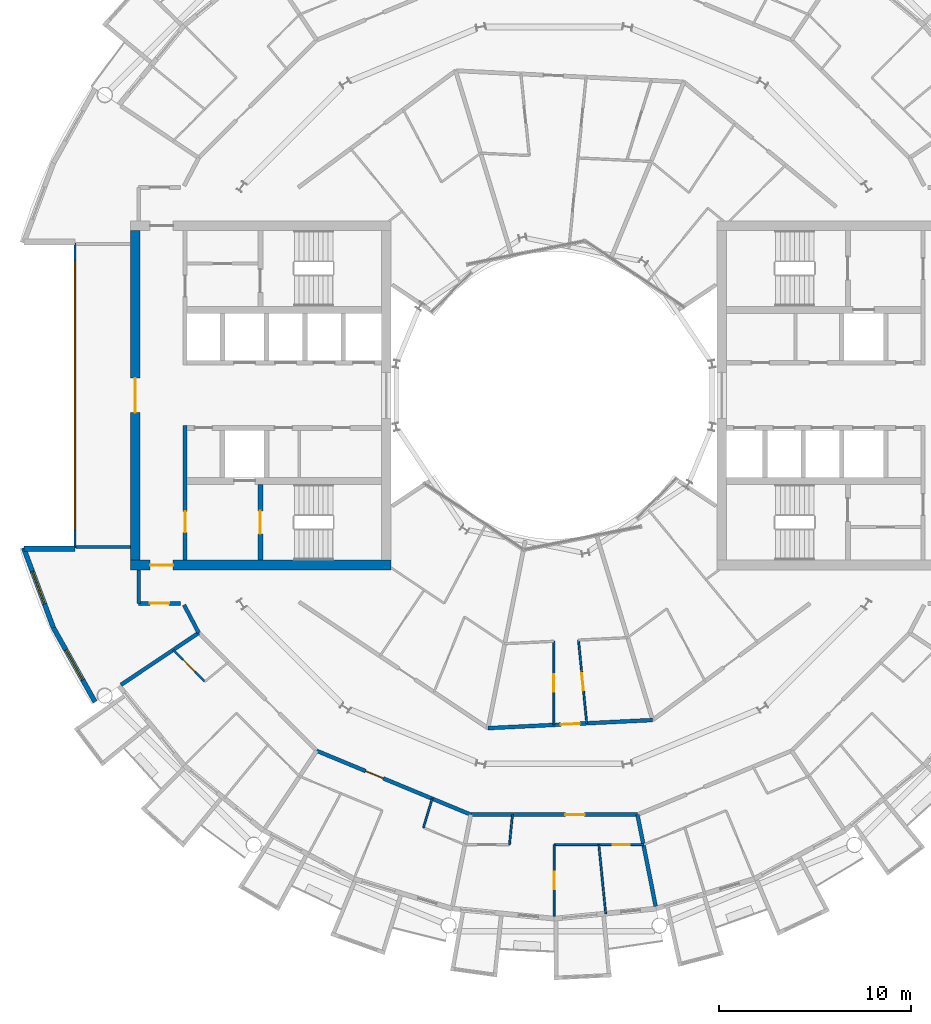
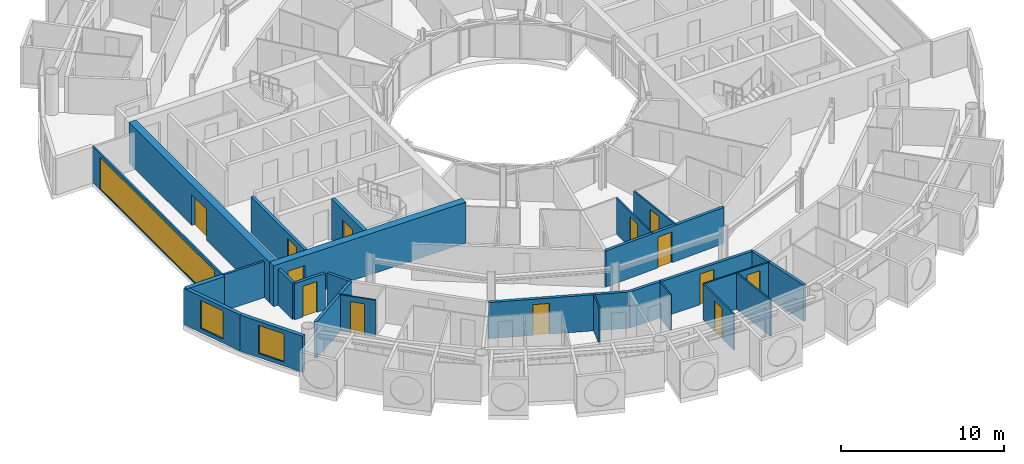
# One storey, part 15 of 27: 25 walls, 13 doors, 3 windows, 16 openings.
"""IFC4 building model written with IfcOpenShell, lengths in metres."""

from ifc_helpers import new_model, si_unit, direction, frame, frame_2d, origin, place, context, subcontext, project, spatial, rectangle, extrude, material, layer, layer_set, type_object, element, fill, save


model = new_model("IFC4")

# Units and contexts
model_context = context("Model", 3, precision=1e-05, world=origin(), true_north=direction((0.0, 1.0)))
body_context = subcontext(model_context, "Body", "Model", "MODEL_VIEW")
ifc_project = project(units=[si_unit("LENGTHUNIT", "METRE"), si_unit("AREAUNIT", "SQUARE_METRE"), si_unit("VOLUMEUNIT", "CUBIC_METRE"), si_unit("PLANEANGLEUNIT", "RADIAN"), si_unit("MASSUNIT", "GRAM", prefix="KILO")], contexts=[model_context])

# Site, building, storey
site_placement = place(None, origin())
site = spatial("IfcSite", under=ifc_project, at=site_placement, CompositionType="ELEMENT")
building_placement = place(site_placement, origin())
building = spatial("IfcBuilding", under=site, at=building_placement, Name="Maasbend Ring Residences", CompositionType="ELEMENT")
storey_placement = place(building_placement, frame((0.0, 0.0, 167.699951171875)))
storey = spatial("IfcBuildingStorey", under=building, at=storey_placement, Name="L48", CompositionType="ELEMENT", Elevation=167.699951171875)

# Wall, opening, door
ifc_material_1 = material(Name="Concrete C60/75", Category="concrete")
ifc_layer_1 = layer(ifc_material_1, 0.25)
ifc_layer_set_1 = layer_set([ifc_layer_1], Name="Concrete C60/75")
wall_type_1 = type_object("IfcWallType", Name="CORE WALL 250 C60/75", PredefinedType="SHEAR", material=ifc_layer_set_1)
wall_1_placement = place(storey_placement, frame((-15.324951171875, -4.64990234375, 0.0), z_axis=(0.0, 0.0, 1.0), x_axis=(0.0, -1.0, 0.0)))
wall_1 = element("IfcWall", 1, at=wall_1_placement, inside=storey, type_object=wall_type_1, Name="L48 core W wall STEN", PredefinedType="SHEAR", context=body_context, shape_type="SweptSolid", body=[
    extrude(rectangle(XDim=3.9501953125, YDim=0.25, at=frame_2d((1.97509765625, 0.0))), origin(), (0.0, 0.0, 1.0), 3.050048828125),
])
opening_1_placement = place(wall_1_placement, frame((1.375, 0.0, 0.0)))
opening_1 = element("IfcOpeningElement", 2, at=opening_1_placement, cuts=wall_1, Name="Opening D-W4810", PredefinedType="OPENING", context=body_context, shape_type="SweptSolid", body=[
    extrude(rectangle(XDim=1.199951171875, YDim=2.300048828125, at=frame_2d((0.60009765625, 1.14990234375))), frame((0.0, 0.135009765625, 0.0), z_axis=(0.0, -1.0, 0.0), x_axis=(1.0, 0.0, 0.0)), (0.0, 0.0, 1.0), 0.27001953125),
])
ifc_material_2 = material(Name="Steel, powder coated", Category="steel")
door_type_1 = type_object("IfcDoorType", Name="STAIR DOOR 1200 X 2300 FD60", OperationType="NOTDEFINED", PredefinedType="DOOR", material=ifc_material_2)
door_1_placement = place(opening_1_placement, origin())
door_1 = element("IfcDoor", 3, at=door_1_placement, inside=storey, type_object=door_type_1, Name="Stair door ST-W L48", OperationType="SINGLE_SWING_LEFT", OverallHeight=2.300048828125, OverallWidth=1.199951171875, PredefinedType="DOOR", context=body_context, shape_type="SweptSolid", body=[
    extrude(rectangle(XDim=1.199951171875, YDim=2.300048828125, at=frame_2d((0.60009765625, 1.14990234375))), frame((0.0, 0.02490234375, 0.0), z_axis=(0.0, -1.0, 0.0), x_axis=(1.0, 0.0, 0.0)), (0.0, 0.0, 1.0), 0.050048828125),
])
fill(opening_1, door_1)

ifc_material_3 = material(Name="Concrete C60/75", Category="concrete")
ifc_layer_2 = layer(ifc_material_3, 0.5)
ifc_layer_set_2 = layer_set([ifc_layer_2], Name="Concrete C60/75")
wall_type_2 = type_object("IfcWallType", Name="CORE WALL 500 C60/75", PredefinedType="SHEAR", material=ifc_layer_set_2)
wall_2_placement = place(storey_placement, frame((-22.10009765625, -8.85009765625, 0.0), z_axis=(0.0, 0.0, 1.0), x_axis=(1.0, 0.0, 0.0)))
wall_2 = element("IfcWall", 4, at=wall_2_placement, inside=storey, type_object=wall_type_2, Name="L48 core W wall PN", PredefinedType="SHEAR", context=body_context, shape_type="SweptSolid", body=[
    extrude(rectangle(XDim=13.60009765625, YDim=0.5, at=frame_2d((6.800048828125, 0.0))), origin(), (0.0, 0.0, 1.0), 3.050048828125),
])
opening_2_placement = place(wall_2_placement, frame((1.02490234375, 0.0, 0.0)))
opening_2 = element("IfcOpeningElement", 5, at=opening_2_placement, cuts=wall_2, Name="Opening D-W4814", PredefinedType="OPENING", context=body_context, shape_type="SweptSolid", body=[
    extrude(rectangle(XDim=1.199951171875, YDim=2.300048828125, at=frame_2d((0.60009765625, 1.14990234375))), frame((0.0, 0.260009765625, 0.0), z_axis=(0.0, -1.0, 0.0), x_axis=(1.0, 0.0, 0.0)), (0.0, 0.0, 1.0), 0.52001953125),
])
ifc_material_4 = material(Name="Steel, powder coated", Category="steel")
door_type_2 = type_object("IfcDoorType", Name="CORRIDOR DOOR 1200 X 2300 FD30S", OperationType="NOTDEFINED", PredefinedType="DOOR", material=ifc_material_4)
door_2_placement = place(opening_2_placement, origin())
door_2 = element("IfcDoor", 6, at=door_2_placement, inside=storey, type_object=door_type_2, Name="Corridor door L48", OperationType="SINGLE_SWING_RIGHT", OverallHeight=2.300048828125, OverallWidth=1.199951171875, PredefinedType="DOOR", context=body_context, shape_type="SweptSolid", body=[
    extrude(rectangle(XDim=1.199951171875, YDim=2.300048828125, at=frame_2d((0.60009765625, 1.14990234375))), frame((0.0, 0.02490234375, 0.0), z_axis=(0.0, -1.0, 0.0), x_axis=(1.0, 0.0, 0.0)), (0.0, 0.0, 1.0), 0.050048828125),
])
fill(opening_2, door_2)

wall_3_placement = place(storey_placement, frame((-21.85009765625, -8.60009765625, 0.0), z_axis=(0.0, 0.0, 1.0), x_axis=(0.0, 1.0, 0.0)))
wall_3 = element("IfcWall", 7, at=wall_3_placement, inside=storey, type_object=wall_type_2, Name="L48 core W wall POUT", PredefinedType="SHEAR", context=body_context, shape_type="SweptSolid", body=[
    extrude(rectangle(XDim=17.2001953125, YDim=0.5, at=frame_2d((8.60009765625, 0.0))), origin(), (0.0, 0.0, 1.0), 3.050048828125),
])
opening_3_placement = place(wall_3_placement, frame((7.699951171875, 0.0, 0.0)))
opening_3 = element("IfcOpeningElement", 8, at=opening_3_placement, cuts=wall_3, Name="Opening D-W4816", PredefinedType="OPENING", context=body_context, shape_type="SweptSolid", body=[
    extrude(rectangle(XDim=1.800048828125, YDim=2.300048828125, at=frame_2d((0.89990234375, 1.14990234375))), frame((0.0, 0.260009765625, 0.0), z_axis=(0.0, -1.0, 0.0), x_axis=(1.0, 0.0, 0.0)), (0.0, 0.0, 1.0), 0.52001953125),
])
ifc_material_5 = material(Name="Aluminium frame, clear glass", Category="aluminium")
door_type_3 = type_object("IfcDoorType", Name="ENTRANCE DOOR 1800 X 2300 FD60", OperationType="NOTDEFINED", PredefinedType="DOOR", material=ifc_material_5)
door_3_placement = place(opening_3_placement, origin())
door_3 = element("IfcDoor", 9, at=door_3_placement, inside=storey, type_object=door_type_3, Name="Lobby glazed door L48", OperationType="SINGLE_SWING_LEFT", OverallHeight=2.300048828125, OverallWidth=1.800048828125, PredefinedType="DOOR", context=body_context, shape_type="SweptSolid", body=[
    extrude(rectangle(XDim=1.800048828125, YDim=2.300048828125, at=frame_2d((0.89990234375, 1.14990234375))), frame((0.0, 0.02490234375, 0.0), z_axis=(0.0, -1.0, 0.0), x_axis=(1.0, 0.0, 0.0)), (0.0, 0.0, 1.0), 0.050048828125),
])
fill(opening_3, door_3)

# Wall
ifc_material_6 = material(Name="Concrete C30/37", Category="concrete")
ifc_layer_3 = layer(ifc_material_6, 0.199951171875)
ifc_layer_set_3 = layer_set([ifc_layer_3], Name="Concrete C30/37")
wall_type_3 = type_object("IfcWallType", Name="CORRIDOR WALL 200 CONCRETE", PredefinedType="PARTITIONING", material=ifc_layer_set_3)
wall_4_placement = place(storey_placement, frame((-19.306884765625, -10.93505859375, 0.0), z_axis=(0.0, 0.0, 1.0), x_axis=(0.465605550524, -0.884992356646, 0.0)))
element("IfcWall", 10, at=wall_4_placement, inside=storey, type_object=wall_type_3, Name="U-L48-w011", PredefinedType="PARTITIONING", context=body_context, shape_type="SweptSolid", body=[
    extrude(rectangle(XDim=1.642822265625, YDim=0.199951171875, at=frame_2d((0.8212890625, 0.0))), origin(), (0.0, 0.0, 1.0), 2.699951171875),
])

# Wall, opening, door
wall_5_placement = place(storey_placement, frame((-12.388916015625, -18.5419921875, 0.0), z_axis=(0.0, 0.0, 1.0), x_axis=(0.923867858178, -0.382711615483, 0.0)))
wall_5 = element("IfcWall", 11, at=wall_5_placement, inside=storey, type_object=wall_type_3, Name="U-L48-w014", PredefinedType="PARTITIONING", context=body_context, shape_type="SweptSolid", body=[
    extrude(rectangle(XDim=8.708984375, YDim=0.199951171875, at=frame_2d((4.3544921875, 0.0))), origin(), (0.0, 0.0, 1.0), 2.699951171875),
])
opening_4_placement = place(wall_5_placement, frame((2.762939453125, 0.0, 0.0)))
opening_4 = element("IfcOpeningElement", 12, at=opening_4_placement, cuts=wall_5, Name="Opening D-4838", PredefinedType="OPENING", context=body_context, shape_type="SweptSolid", body=[
    extrude(rectangle(XDim=1.0, YDim=2.300048828125, at=frame_2d((0.5, 1.14990234375))), frame((0.0, 0.10986328125, 0.0), z_axis=(0.0, -1.0, 0.0), x_axis=(1.0, 0.0, 0.0)), (0.0, 0.0, 1.0), 0.219970703125),
])
ifc_material_7 = material(Name="Timber, fire-rated, painted", Category="wood")
door_type_4 = type_object("IfcDoorType", Name="FLAT ENTRANCE DOOR 1000 X 2300 FIRE-RATED", OperationType="NOTDEFINED", PredefinedType="DOOR", material=ifc_material_7)
door_4_placement = place(opening_4_placement, origin())
door_4 = element("IfcDoor", 13, at=door_4_placement, inside=storey, type_object=door_type_4, Name="D-4838", OperationType="SINGLE_SWING_LEFT", OverallHeight=2.300048828125, OverallWidth=1.0, PredefinedType="DOOR", context=body_context, shape_type="SweptSolid", body=[
    extrude(rectangle(XDim=1.0, YDim=2.300048828125, at=frame_2d((0.5, 1.14990234375))), frame((0.0, 0.02490234375, 0.0), z_axis=(0.0, -1.0, 0.0), x_axis=(1.0, 0.0, 0.0)), (0.0, 0.0, 1.0), 0.050048828125),
])
fill(opening_4, door_4)

wall_6_placement = place(storey_placement, frame((-4.35107421875, -21.8720703125, 0.0), z_axis=(0.0, 0.0, 1.0), x_axis=(1.0, 0.0, 0.0)))
wall_6 = element("IfcWall", 14, at=wall_6_placement, inside=storey, type_object=wall_type_3, Name="U-L48-w015", PredefinedType="PARTITIONING", context=body_context, shape_type="SweptSolid", body=[
    extrude(rectangle(XDim=8.7021484375, YDim=0.199951171875, at=frame_2d((4.35107421875, 0.0))), origin(), (0.0, 0.0, 1.0), 2.699951171875),
])
opening_5_placement = place(wall_6_placement, frame((4.93896484375, 0.0, 0.0)))
opening_5 = element("IfcOpeningElement", 15, at=opening_5_placement, cuts=wall_6, Name="Opening D-4842", PredefinedType="OPENING", context=body_context, shape_type="SweptSolid", body=[
    extrude(rectangle(XDim=1.0, YDim=2.300048828125, at=frame_2d((0.5, 1.14990234375))), frame((0.0, 0.10986328125, 0.0), z_axis=(0.0, -1.0, 0.0), x_axis=(1.0, 0.0, 0.0)), (0.0, 0.0, 1.0), 0.219970703125),
])
door_5_placement = place(opening_5_placement, origin())
door_5 = element("IfcDoor", 16, at=door_5_placement, inside=storey, type_object=door_type_4, Name="D-4842", OperationType="SINGLE_SWING_RIGHT", OverallHeight=2.300048828125, OverallWidth=1.0, PredefinedType="DOOR", context=body_context, shape_type="SweptSolid", body=[
    extrude(rectangle(XDim=1.0, YDim=2.300048828125, at=frame_2d((0.5, 1.14990234375))), frame((0.0, 0.02490234375, 0.0), z_axis=(0.0, -1.0, 0.0), x_axis=(1.0, 0.0, 0.0)), (0.0, 0.0, 1.0), 0.050048828125),
])
fill(opening_5, door_5)

wall_7_placement = place(storey_placement, frame((-3.452880859375, -17.361083984375, 0.0), z_axis=(0.0, 0.0, 1.0), x_axis=(0.998789433108, 0.049190124121, 0.0)))
wall_7 = element("IfcWall", 17, at=wall_7_placement, inside=storey, type_object=wall_type_3, Name="U-L48-w020", PredefinedType="PARTITIONING", context=body_context, shape_type="SweptSolid", body=[
    extrude(rectangle(XDim=8.601318359375, YDim=0.199951171875, at=frame_2d((4.30078125, 0.0))), origin(), (0.0, 0.0, 1.0), 2.699951171875),
])
opening_6_placement = place(wall_7_placement, frame((3.802978515625, 0.0, 0.0)))
opening_6 = element("IfcOpeningElement", 18, at=opening_6_placement, cuts=wall_7, Name="Opening D-4858", PredefinedType="OPENING", context=body_context, shape_type="SweptSolid", body=[
    extrude(rectangle(XDim=1.0, YDim=2.300048828125, at=frame_2d((0.5, 1.14990234375))), frame((0.0, 0.10986328125, 0.0), z_axis=(0.0, -1.0, 0.0), x_axis=(1.0, 0.0, 0.0)), (0.0, 0.0, 1.0), 0.219970703125),
])
door_6_placement = place(opening_6_placement, origin())
door_6 = element("IfcDoor", 19, at=door_6_placement, inside=storey, type_object=door_type_4, Name="D-4858", OperationType="SINGLE_SWING_RIGHT", OverallHeight=2.300048828125, OverallWidth=1.0, PredefinedType="DOOR", context=body_context, shape_type="SweptSolid", body=[
    extrude(rectangle(XDim=1.0, YDim=2.300048828125, at=frame_2d((0.5, 1.14990234375))), frame((0.0, 0.02490234375, 0.0), z_axis=(0.0, -1.0, 0.0), x_axis=(1.0, 0.0, 0.0)), (0.0, 0.0, 1.0), 0.050048828125),
])
fill(opening_6, door_6)

wall_8_placement = place(storey_placement, frame((-21.675048828125, -10.85009765625, 0.0), z_axis=(0.0, 0.0, 1.0), x_axis=(1.0, 0.0, 0.0)))
wall_8 = element("IfcWall", 20, at=wall_8_placement, inside=storey, type_object=wall_type_3, Name="U-L48-w029", PredefinedType="PARTITIONING", context=body_context, shape_type="SweptSolid", body=[
    extrude(rectangle(XDim=2.171142578125, YDim=0.199951171875, at=frame_2d((1.08544921875, 0.0))), origin(), (0.0, 0.0, 1.0), 2.699951171875),
])
opening_7_placement = place(wall_8_placement, frame((0.5849609375, 0.0, 0.0)))
opening_7 = element("IfcOpeningElement", 21, at=opening_7_placement, cuts=wall_8, Name="Opening D-4865", PredefinedType="OPENING", context=body_context, shape_type="SweptSolid", body=[
    extrude(rectangle(XDim=1.0, YDim=2.300048828125, at=frame_2d((0.5, 1.14990234375))), frame((0.0, 0.10986328125, 0.0), z_axis=(0.0, -1.0, 0.0), x_axis=(1.0, 0.0, 0.0)), (0.0, 0.0, 1.0), 0.219970703125),
])
ifc_material_8 = material(Name="Timber, painted", Category="wood")
door_type_5 = type_object("IfcDoorType", Name="ROOM DOOR 1000 X 2300", OperationType="NOTDEFINED", PredefinedType="DOOR", material=ifc_material_8)
door_7_placement = place(opening_7_placement, origin())
door_7 = element("IfcDoor", 22, at=door_7_placement, inside=storey, type_object=door_type_5, Name="D-4865", OperationType="SINGLE_SWING_LEFT", OverallHeight=2.300048828125, OverallWidth=1.0, PredefinedType="DOOR", context=body_context, shape_type="SweptSolid", body=[
    extrude(rectangle(XDim=1.0, YDim=2.300048828125, at=frame_2d((0.5, 1.14990234375))), frame((0.0, 0.02490234375, 0.0), z_axis=(0.0, -1.0, 0.0), x_axis=(1.0, 0.0, 0.0)), (0.0, 0.0, 1.0), 0.050048828125),
])
fill(opening_7, door_7)

# Wall
wall_9_placement = place(storey_placement, frame((-21.675048828125, -10.85009765625, 0.0), z_axis=(0.0, 0.0, 1.0), x_axis=(0.0, 1.0, 0.0)))
element("IfcWall", 23, at=wall_9_placement, inside=storey, type_object=wall_type_3, Name="U-L48-w107", PredefinedType="PARTITIONING", context=body_context, shape_type="SweptSolid", body=[
    extrude(rectangle(XDim=1.75, YDim=0.199951171875, at=frame_2d((0.875, 0.0))), origin(), (0.0, 0.0, 1.0), 2.699951171875),
])

# Wall, opening, window
ifc_material_9 = material(Name="Aluminium clad insulated panel", Category="aluminium")
ifc_layer_4 = layer(ifc_material_9, 0.25)
ifc_layer_set_4 = layer_set([ifc_layer_4], Name="EW-HORN")
wall_type_4 = type_object("IfcWallType", Name="EW-HORN", PredefinedType="SOLIDWALL", material=ifc_layer_set_4)
wall_10_placement = place(storey_placement, frame((-27.681884765625, -7.945068359375, 0.0), z_axis=(0.0, 0.0, 1.0), x_axis=(0.349247811493, -0.937030397675, 0.0)))
wall_10 = element("IfcWall", 24, at=wall_10_placement, inside=storey, type_object=wall_type_4, Name="Horn wall 3.1", PredefinedType="SOLIDWALL", context=body_context, shape_type="SweptSolid", body=[
    extrude(rectangle(XDim=4.4521484375, YDim=0.25, at=frame_2d((2.22607421875, 0.0))), origin(), (0.0, 0.0, 1.0), 2.699951171875),
])
opening_8_placement = place(wall_10_placement, frame((1.32666015625, 0.0, 0.300048828125)))
opening_8 = element("IfcOpeningElement", 25, at=opening_8_placement, cuts=wall_10, Name="Opening W-BX", PredefinedType="OPENING", context=body_context, shape_type="SweptSolid", body=[
    extrude(rectangle(XDim=1.800048828125, YDim=2.10009765625, at=frame_2d((0.89990234375, 1.050048828125))), frame((0.0, 0.135009765625, 0.0), z_axis=(0.0, -1.0, 0.0), x_axis=(1.0, 0.0, 0.0)), (0.0, 0.0, 1.0), 0.27001953125),
])
ifc_material_10 = material(Name="Aluminium and clear glass", Category="aluminium")
window_type_1 = type_object("IfcWindowType", Name="W-BX", PartitioningType="DOUBLE_PANEL_VERTICAL", PredefinedType="WINDOW", material=ifc_material_10)
window_1_placement = place(opening_8_placement, origin())
window_1 = element("IfcWindow", 26, at=window_1_placement, inside=storey, type_object=window_type_1, Name="Horn window 3.1", OverallHeight=2.10009765625, OverallWidth=1.800048828125, PartitioningType="SINGLE_PANEL", PredefinedType="WINDOW", context=body_context, shape_type="SweptSolid", body=[
    extrude(rectangle(XDim=1.800048828125, YDim=2.10009765625, at=frame_2d((0.89990234375, 1.050048828125))), frame((0.0, 0.030029296875, 0.0), z_axis=(0.0, -1.0, 0.0), x_axis=(1.0, 0.0, 0.0)), (0.0, 0.0, 1.0), 0.06005859375),
])
fill(opening_8, window_1)

wall_11_placement = place(storey_placement, frame((-26.126953125, -12.116943359375, 0.0), z_axis=(0.0, 0.0, 1.0), x_axis=(0.489696356642, -0.871893042919, 0.0)))
wall_11 = element("IfcWall", 27, at=wall_11_placement, inside=storey, type_object=wall_type_4, Name="Horn wall 3.2", PredefinedType="SOLIDWALL", context=body_context, shape_type="SweptSolid", body=[
    extrude(rectangle(XDim=4.45361328125, YDim=0.25, at=frame_2d((2.226806640625, 0.0))), origin(), (0.0, 0.0, 1.0), 2.699951171875),
])
opening_9_placement = place(wall_11_placement, frame((1.32666015625, 0.0, 0.300048828125)))
opening_9 = element("IfcOpeningElement", 28, at=opening_9_placement, cuts=wall_11, Name="Opening W-BX", PredefinedType="OPENING", context=body_context, shape_type="SweptSolid", body=[
    extrude(rectangle(XDim=1.800048828125, YDim=2.10009765625, at=frame_2d((0.89990234375, 1.050048828125))), frame((0.0, 0.135009765625, 0.0), z_axis=(0.0, -1.0, 0.0), x_axis=(1.0, 0.0, 0.0)), (0.0, 0.0, 1.0), 0.27001953125),
])
window_2_placement = place(opening_9_placement, origin())
window_2 = element("IfcWindow", 29, at=window_2_placement, inside=storey, type_object=window_type_1, Name="Horn window 3.2", OverallHeight=2.10009765625, OverallWidth=1.800048828125, PartitioningType="SINGLE_PANEL", PredefinedType="WINDOW", context=body_context, shape_type="SweptSolid", body=[
    extrude(rectangle(XDim=1.800048828125, YDim=2.10009765625, at=frame_2d((0.89990234375, 1.050048828125))), frame((0.0, 0.030029296875, 0.0), z_axis=(0.0, -1.0, 0.0), x_axis=(1.0, 0.0, 0.0)), (0.0, 0.0, 1.0), 0.06005859375),
])
fill(opening_9, window_2)

# Wall
ifc_material_11 = material(Name="Aluminium clad insulated panel", Category="aluminium")
ifc_layer_5 = layer(ifc_material_11, 0.300048828125)
ifc_layer_set_5 = layer_set([ifc_layer_5], Name="EW-RET")
wall_type_5 = type_object("IfcWallType", Name="EW-RET", PredefinedType="SOLIDWALL", material=ifc_layer_set_5)
wall_12_placement = place(storey_placement, frame((-25.0, -8.0, 0.0), z_axis=(0.0, 0.0, 1.0), x_axis=(-1.0, 0.0, 0.0)))
element("IfcWall", 30, at=wall_12_placement, inside=storey, type_object=wall_type_5, Name="Notch return wall west south", PredefinedType="SOLIDWALL", context=body_context, shape_type="SweptSolid", body=[
    extrude(rectangle(XDim=2.6669921875, YDim=0.300048828125, at=frame_2d((1.33349609375, 0.0))), origin(), (0.0, 0.0, 1.0), 2.699951171875),
])

# Wall, opening, window
ifc_material_12 = material(Name="Aluminium frame and clear glass", Category="aluminium")
ifc_layer_6 = layer(ifc_material_12, 0.1201171875)
ifc_layer_set_6 = layer_set([ifc_layer_6], Name="GLAZED SCREEN WALL 120 EI 60")
wall_type_6 = type_object("IfcWallType", Name="GLAZED SCREEN WALL 120 EI 60", PredefinedType="PARTITIONING", material=ifc_layer_set_6)
wall_13_placement = place(storey_placement, frame((-25.0, 7.949951171875, 0.0), z_axis=(0.0, 0.0, 1.0), x_axis=(0.0, -1.0, 0.0)))
wall_13 = element("IfcWall", 31, at=wall_13_placement, inside=storey, type_object=wall_type_6, Name="L48 core W wall FACE", PredefinedType="PARTITIONING", context=body_context, shape_type="SweptSolid", body=[
    extrude(rectangle(XDim=15.89990234375, YDim=0.1201171875, at=frame_2d((7.949951171875, 0.0))), origin(), (0.0, 0.0, 1.0), 2.699951171875),
])
opening_10_placement = place(wall_13_placement, frame((0.949951171875, 0.0, 0.10009765625)))
opening_10 = element("IfcOpeningElement", 32, at=opening_10_placement, cuts=wall_13, Name="Opening W-W4802", PredefinedType="OPENING", context=body_context, shape_type="SweptSolid", body=[
    extrude(rectangle(XDim=14.0, YDim=2.35009765625, at=frame_2d((7.0, 1.175048828125))), frame((0.0, 0.070068359375, 0.0), z_axis=(0.0, -1.0, 0.0), x_axis=(1.0, 0.0, 0.0)), (0.0, 0.0, 1.0), 0.14013671875),
])
ifc_material_13 = material(Name="Aluminium frame and clear glass", Category="aluminium")
window_type_2 = type_object("IfcWindowType", Name="FIXED WINDOW 14000 X 2350", PartitioningType="SINGLE_PANEL", PredefinedType="WINDOW", material=ifc_material_13)
window_3_placement = place(opening_10_placement, origin())
window_3 = element("IfcWindow", 33, at=window_3_placement, inside=storey, type_object=window_type_2, Name="Lobby window L48", OverallHeight=2.35009765625, OverallWidth=14.0, PartitioningType="SINGLE_PANEL", PredefinedType="WINDOW", context=body_context, shape_type="SweptSolid", body=[
    extrude(rectangle(XDim=14.0, YDim=2.35009765625, at=frame_2d((7.0, 1.175048828125))), frame((0.0, 0.030029296875, 0.0), z_axis=(0.0, -1.0, 0.0), x_axis=(1.0, 0.0, 0.0)), (0.0, 0.0, 1.0), 0.06005859375),
])
fill(opening_10, window_3)

# Wall, opening, door
ifc_material_14 = material(Name="Gypsum board on steel studs", Category="steel")
ifc_layer_7 = layer(ifc_material_14, 0.10009765625)
ifc_layer_set_7 = layer_set([ifc_layer_7], Name="PARTITION 100 GYPSUM")
wall_type_7 = type_object("IfcWallType", Name="PARTITION 100 GYPSUM", PredefinedType="PARTITIONING", material=ifc_layer_set_7)
wall_14_placement = place(storey_placement, frame((-19.8720703125, -13.278076171875, 0.0), z_axis=(0.0, 0.0, 1.0), x_axis=(0.706897299114, -0.707316201218, 0.0)))
wall_14 = element("IfcWall", 34, at=wall_14_placement, inside=storey, type_object=wall_type_7, Name="U-L48-w001", PredefinedType="PARTITIONING", context=body_context, shape_type="SweptSolid", body=[
    extrude(rectangle(XDim=2.331298828125, YDim=0.10009765625, at=frame_2d((1.16552734375, 0.0))), origin(), (0.0, 0.0, 1.0), 2.699951171875),
])
opening_11_placement = place(wall_14_placement, frame((0.716064453125, 0.0, 0.0)))
opening_11 = element("IfcOpeningElement", 35, at=opening_11_placement, cuts=wall_14, Name="Opening D-4835", PredefinedType="OPENING", context=body_context, shape_type="SweptSolid", body=[
    extrude(rectangle(XDim=0.89990234375, YDim=2.300048828125, at=frame_2d((0.449951171875, 1.14990234375))), frame((0.0, 0.06005859375, 0.0), z_axis=(0.0, -1.0, 0.0), x_axis=(1.0, 0.0, 0.0)), (0.0, 0.0, 1.0), 0.1201171875),
])
ifc_material_15 = material(Name="Timber, painted", Category="wood")
door_type_6 = type_object("IfcDoorType", Name="INTERNAL DOOR 900 X 2300", OperationType="NOTDEFINED", PredefinedType="DOOR", material=ifc_material_15)
door_8_placement = place(opening_11_placement, origin())
door_8 = element("IfcDoor", 36, at=door_8_placement, inside=storey, type_object=door_type_6, Name="D-4835", OperationType="SINGLE_SWING_RIGHT", OverallHeight=2.300048828125, OverallWidth=0.89990234375, PredefinedType="DOOR", context=body_context, shape_type="SweptSolid", body=[
    extrude(rectangle(XDim=0.89990234375, YDim=2.300048828125, at=frame_2d((0.449951171875, 1.14990234375))), frame((0.0, 0.02490234375, 0.0), z_axis=(0.0, -1.0, 0.0), x_axis=(1.0, 0.0, 0.0)), (0.0, 0.0, 1.0), 0.050048828125),
])
fill(opening_11, door_8)

wall_15_placement = place(storey_placement, frame((0.0, -23.44091796875, 0.0), z_axis=(0.0, 0.0, 1.0), x_axis=(1.0, 0.0, 0.0)))
wall_15 = element("IfcWall", 37, at=wall_15_placement, inside=storey, type_object=wall_type_7, Name="U-L48-w006", PredefinedType="PARTITIONING", context=body_context, shape_type="SweptSolid", body=[
    extrude(rectangle(XDim=4.6630859375, YDim=0.10009765625, at=frame_2d((2.33154296875, 0.0))), origin(), (0.0, 0.0, 1.0), 2.699951171875),
])
opening_12_placement = place(wall_15_placement, frame((3.047119140625, 0.0, 0.0)))
opening_12 = element("IfcOpeningElement", 38, at=opening_12_placement, cuts=wall_15, Name="Opening D-4845", PredefinedType="OPENING", context=body_context, shape_type="SweptSolid", body=[
    extrude(rectangle(XDim=0.89990234375, YDim=2.300048828125, at=frame_2d((0.449951171875, 1.14990234375))), frame((0.0, 0.06005859375, 0.0), z_axis=(0.0, -1.0, 0.0), x_axis=(1.0, 0.0, 0.0)), (0.0, 0.0, 1.0), 0.1201171875),
])
door_9_placement = place(opening_12_placement, origin())
door_9 = element("IfcDoor", 39, at=door_9_placement, inside=storey, type_object=door_type_6, Name="D-4845", OperationType="SINGLE_SWING_RIGHT", OverallHeight=2.300048828125, OverallWidth=0.89990234375, PredefinedType="DOOR", context=body_context, shape_type="SweptSolid", body=[
    extrude(rectangle(XDim=0.89990234375, YDim=2.300048828125, at=frame_2d((0.449951171875, 1.14990234375))), frame((0.0, 0.02490234375, 0.0), z_axis=(0.0, -1.0, 0.0), x_axis=(1.0, 0.0, 0.0)), (0.0, 0.0, 1.0), 0.050048828125),
])
fill(opening_12, door_9)

# Walls
wall_16_placement = place(storey_placement, frame((-6.81689453125, -22.549072265625, 0.0), z_axis=(0.0, 0.0, 1.0), x_axis=(0.289547780579, 0.957163561134, 0.0)))
element("IfcWall", 40, at=wall_16_placement, inside=storey, type_object=wall_type_7, Name="U-L48-w033", PredefinedType="PARTITIONING", context=body_context, shape_type="SweptSolid", body=[
    extrude(rectangle(XDim=1.57763671875, YDim=0.10009765625, at=frame_2d((0.788818359375, 0.0))), origin(), (0.0, 0.0, 1.0), 2.699951171875),
])
wall_17_placement = place(storey_placement, frame((-2.330078125, -23.44091796875, 0.0), z_axis=(0.0, 0.0, 1.0), x_axis=(0.098951748623, 0.995092232632, 0.0)))
element("IfcWall", 41, at=wall_17_placement, inside=storey, type_object=wall_type_7, Name="U-L48-w060", PredefinedType="PARTITIONING", context=body_context, shape_type="SweptSolid", body=[
    extrude(rectangle(XDim=1.57666015625, YDim=0.10009765625, at=frame_2d((0.788330078125, 0.0))), origin(), (0.0, 0.0, 1.0), 2.699951171875),
])

# Wall, opening, door
wall_18_placement = place(storey_placement, frame((-0.01708984375, -17.19091796875, 0.0), z_axis=(0.0, 0.0, 1.0), x_axis=(0.001175416181, 0.999999309198, 0.0)))
wall_18 = element("IfcWall", 42, at=wall_18_placement, inside=storey, type_object=wall_type_7, Name="U-L48-w062", PredefinedType="PARTITIONING", context=body_context, shape_type="SweptSolid", body=[
    extrude(rectangle(XDim=4.36181640625, YDim=0.10009765625, at=frame_2d((2.180908203125, 0.0))), origin(), (0.0, 0.0, 1.0), 2.699951171875),
])
opening_13_placement = place(wall_18_placement, frame((1.73095703125, 0.0, 0.0)))
opening_13 = element("IfcOpeningElement", 43, at=opening_13_placement, cuts=wall_18, Name="Opening D-4859", PredefinedType="OPENING", context=body_context, shape_type="SweptSolid", body=[
    extrude(rectangle(XDim=0.89990234375, YDim=2.300048828125, at=frame_2d((0.449951171875, 1.14990234375))), frame((0.0, 0.06005859375, 0.0), z_axis=(0.0, -1.0, 0.0), x_axis=(1.0, 0.0, 0.0)), (0.0, 0.0, 1.0), 0.1201171875),
])
door_10_placement = place(opening_13_placement, origin())
door_10 = element("IfcDoor", 44, at=door_10_placement, inside=storey, type_object=door_type_6, Name="D-4859", OperationType="SINGLE_SWING_LEFT", OverallHeight=2.300048828125, OverallWidth=0.89990234375, PredefinedType="DOOR", context=body_context, shape_type="SweptSolid", body=[
    extrude(rectangle(XDim=0.89990234375, YDim=2.300048828125, at=frame_2d((0.449951171875, 1.14990234375))), frame((0.0, 0.02490234375, 0.0), z_axis=(0.0, -1.0, 0.0), x_axis=(1.0, 0.0, 0.0)), (0.0, 0.0, 1.0), 0.050048828125),
])
fill(opening_13, door_10)

wall_19_placement = place(storey_placement, frame((0.0, -27.175048828125, 0.0), z_axis=(0.0, 0.0, 1.0), x_axis=(0.0, 1.0, 0.0)))
wall_19 = element("IfcWall", 45, at=wall_19_placement, inside=storey, type_object=wall_type_7, Name="U-L48-w063", PredefinedType="PARTITIONING", context=body_context, shape_type="SweptSolid", body=[
    extrude(rectangle(XDim=3.734130859375, YDim=0.10009765625, at=frame_2d((1.8671875, 0.0))), origin(), (0.0, 0.0, 1.0), 2.699951171875),
])
opening_14_placement = place(wall_19_placement, frame((1.4169921875, 0.0, 0.0)))
opening_14 = element("IfcOpeningElement", 46, at=opening_14_placement, cuts=wall_19, Name="Opening D-4844", PredefinedType="OPENING", context=body_context, shape_type="SweptSolid", body=[
    extrude(rectangle(XDim=0.89990234375, YDim=2.300048828125, at=frame_2d((0.449951171875, 1.14990234375))), frame((0.0, 0.06005859375, 0.0), z_axis=(0.0, -1.0, 0.0), x_axis=(1.0, 0.0, 0.0)), (0.0, 0.0, 1.0), 0.1201171875),
])
door_11_placement = place(opening_14_placement, origin())
door_11 = element("IfcDoor", 47, at=door_11_placement, inside=storey, type_object=door_type_6, Name="D-4844", OperationType="SINGLE_SWING_RIGHT", OverallHeight=2.300048828125, OverallWidth=0.89990234375, PredefinedType="DOOR", context=body_context, shape_type="SweptSolid", body=[
    extrude(rectangle(XDim=0.89990234375, YDim=2.300048828125, at=frame_2d((0.449951171875, 1.14990234375))), frame((0.0, 0.02490234375, 0.0), z_axis=(0.0, -1.0, 0.0), x_axis=(1.0, 0.0, 0.0)), (0.0, 0.0, 1.0), 0.050048828125),
])
fill(opening_14, door_11)

wall_20_placement = place(storey_placement, frame((1.27001953125, -12.76611328125, 0.0), z_axis=(0.0, 0.0, 1.0), x_axis=(0.099004993851, -0.9950869365, 0.0)))
wall_20 = element("IfcWall", 48, at=wall_20_placement, inside=storey, type_object=wall_type_7, Name="U-L48-w066", PredefinedType="PARTITIONING", context=body_context, shape_type="SweptSolid", body=[
    extrude(rectangle(XDim=4.3623046875, YDim=0.10009765625, at=frame_2d((2.18115234375, 0.0))), origin(), (0.0, 0.0, 1.0), 2.699951171875),
])
opening_15_placement = place(wall_20_placement, frame((1.73095703125, 0.0, 0.0)))
opening_15 = element("IfcOpeningElement", 49, at=opening_15_placement, cuts=wall_20, Name="Opening D-4860", PredefinedType="OPENING", context=body_context, shape_type="SweptSolid", body=[
    extrude(rectangle(XDim=0.89990234375, YDim=2.300048828125, at=frame_2d((0.449951171875, 1.14990234375))), frame((0.0, 0.06005859375, 0.0), z_axis=(0.0, -1.0, 0.0), x_axis=(1.0, 0.0, 0.0)), (0.0, 0.0, 1.0), 0.1201171875),
])
door_12_placement = place(opening_15_placement, origin())
door_12 = element("IfcDoor", 50, at=door_12_placement, inside=storey, type_object=door_type_6, Name="D-4860", OperationType="SINGLE_SWING_LEFT", OverallHeight=2.300048828125, OverallWidth=0.89990234375, PredefinedType="DOOR", context=body_context, shape_type="SweptSolid", body=[
    extrude(rectangle(XDim=0.89990234375, YDim=2.300048828125, at=frame_2d((0.449951171875, 1.14990234375))), frame((0.0, 0.02490234375, 0.0), z_axis=(0.0, -1.0, 0.0), x_axis=(1.0, 0.0, 0.0)), (0.0, 0.0, 1.0), 0.050048828125),
])
fill(opening_15, door_12)

# Walls
wall_21_placement = place(storey_placement, frame((2.33203125, -23.44091796875, 0.0), z_axis=(0.0, 0.0, 1.0), x_axis=(0.099169741095, -0.995070531395, 0.0)))
element("IfcWall", 51, at=wall_21_placement, inside=storey, type_object=wall_type_7, Name="U-L48-w069", PredefinedType="PARTITIONING", context=body_context, shape_type="SweptSolid", body=[
    extrude(rectangle(XDim=3.618896484375, YDim=0.10009765625, at=frame_2d((1.8095703125, 0.0))), origin(), (0.0, 0.0, 1.0), 2.699951171875),
])
ifc_material_16 = material(Name="Gypsum board on steel studs", Category="steel")
ifc_layer_8 = layer(ifc_material_16, 0.14990234375)
ifc_layer_set_8 = layer_set([ifc_layer_8], Name="PARTITION 150 EI 60")
wall_type_8 = type_object("IfcWallType", Name="PARTITION 150 EI 60", PredefinedType="PARTITIONING", material=ifc_layer_set_8)
wall_22_placement = place(storey_placement, frame((-22.10009765625, -7.89990234375, 0.0), z_axis=(0.0, 0.0, 1.0), x_axis=(-1.0, 0.0, 0.0)))
element("IfcWall", 52, at=wall_22_placement, inside=storey, type_object=wall_type_8, Name="L48 core W wall CITN", PredefinedType="PARTITIONING", context=body_context, shape_type="SweptSolid", body=[
    extrude(rectangle(XDim=2.83984375, YDim=0.14990234375, at=frame_2d((1.419921875, 0.0))), origin(), (0.0, 0.0, 1.0), 2.699951171875),
])
ifc_material_17 = material(Name="Concrete C30/37", Category="concrete")
ifc_layer_9 = layer(ifc_material_17, 0.199951171875)
ifc_layer_set_9 = layer_set([ifc_layer_9], Name="Concrete C30/37")
wall_type_9 = type_object("IfcWallType", Name="PARTY WALL 200 CONCRETE", PredefinedType="PARTITIONING", material=ifc_layer_set_9)
wall_23_placement = place(storey_placement, frame((-22.594970703125, -15.097900390625, 0.0), z_axis=(0.0, 0.0, 1.0), x_axis=(0.831387096605, 0.55569370664, 0.0)))
element("IfcWall", 53, at=wall_23_placement, inside=storey, type_object=wall_type_9, Name="U-L48-w035", PredefinedType="PARTITIONING", context=body_context, shape_type="SweptSolid", body=[
    extrude(rectangle(XDim=4.875, YDim=0.199951171875, at=frame_2d((2.4375, 0.0))), origin(), (0.0, 0.0, 1.0), 2.699951171875),
])
wall_24_placement = place(storey_placement, frame((4.347900390625, -21.873046875, 0.0), z_axis=(0.0, 0.0, 1.0), x_axis=(0.194931286287, -0.980816901173, 0.0)))
element("IfcWall", 54, at=wall_24_placement, inside=storey, type_object=wall_type_9, Name="U-L48-w072", PredefinedType="PARTITIONING", context=body_context, shape_type="SweptSolid", body=[
    extrude(rectangle(XDim=4.87451171875, YDim=0.199951171875, at=frame_2d((2.437255859375, 0.0))), origin(), (0.0, 0.0, 1.0), 2.699951171875),
])

# Wall, opening, door
ifc_material_18 = material(Name="Concrete C30/37", Category="concrete")
ifc_layer_10 = layer(ifc_material_18, 0.199951171875)
ifc_layer_set_10 = layer_set([ifc_layer_10], Name="Concrete C30/37")
wall_type_10 = type_object("IfcWallType", Name="SHAFT WALL 200 EI 120", PredefinedType="SOLIDWALL", material=ifc_layer_set_10)
wall_25_placement = place(storey_placement, frame((-19.25, -1.574951171875, 0.0), z_axis=(0.0, 0.0, 1.0), x_axis=(0.0, -1.0, 0.0)))
wall_25 = element("IfcWall", 55, at=wall_25_placement, inside=storey, type_object=wall_type_10, Name="L48 core W wall ENDN", PredefinedType="SOLIDWALL", context=body_context, shape_type="SweptSolid", body=[
    extrude(rectangle(XDim=7.025146484375, YDim=0.199951171875, at=frame_2d((3.5126953125, 0.0))), origin(), (0.0, 0.0, 1.0), 2.699951171875),
])
opening_16_placement = place(wall_25_placement, frame((4.47509765625, 0.0, 0.0)))
opening_16 = element("IfcOpeningElement", 56, at=opening_16_placement, cuts=wall_25, Name="Opening D-W4812", PredefinedType="OPENING", context=body_context, shape_type="SweptSolid", body=[
    extrude(rectangle(XDim=1.10009765625, YDim=2.300048828125, at=frame_2d((0.550048828125, 1.14990234375))), frame((0.0, 0.10986328125, 0.0), z_axis=(0.0, -1.0, 0.0), x_axis=(1.0, 0.0, 0.0)), (0.0, 0.0, 1.0), 0.219970703125),
])
ifc_material_19 = material(Name="Steel, powder coated", Category="steel")
door_type_7 = type_object("IfcDoorType", Name="LOBBY DOOR 1100 X 2300 FD60", OperationType="NOTDEFINED", PredefinedType="DOOR", material=ifc_material_19)
door_13_placement = place(opening_16_placement, origin())
door_13 = element("IfcDoor", 57, at=door_13_placement, inside=storey, type_object=door_type_7, Name="Lobby door L48", OperationType="SINGLE_SWING_LEFT", OverallHeight=2.300048828125, OverallWidth=1.10009765625, PredefinedType="DOOR", context=body_context, shape_type="SweptSolid", body=[
    extrude(rectangle(XDim=1.10009765625, YDim=2.300048828125, at=frame_2d((0.550048828125, 1.14990234375))), frame((0.0, 0.02490234375, 0.0), z_axis=(0.0, -1.0, 0.0), x_axis=(1.0, 0.0, 0.0)), (0.0, 0.0, 1.0), 0.050048828125),
])
fill(opening_16, door_13)

save(model, "model.ifc")
